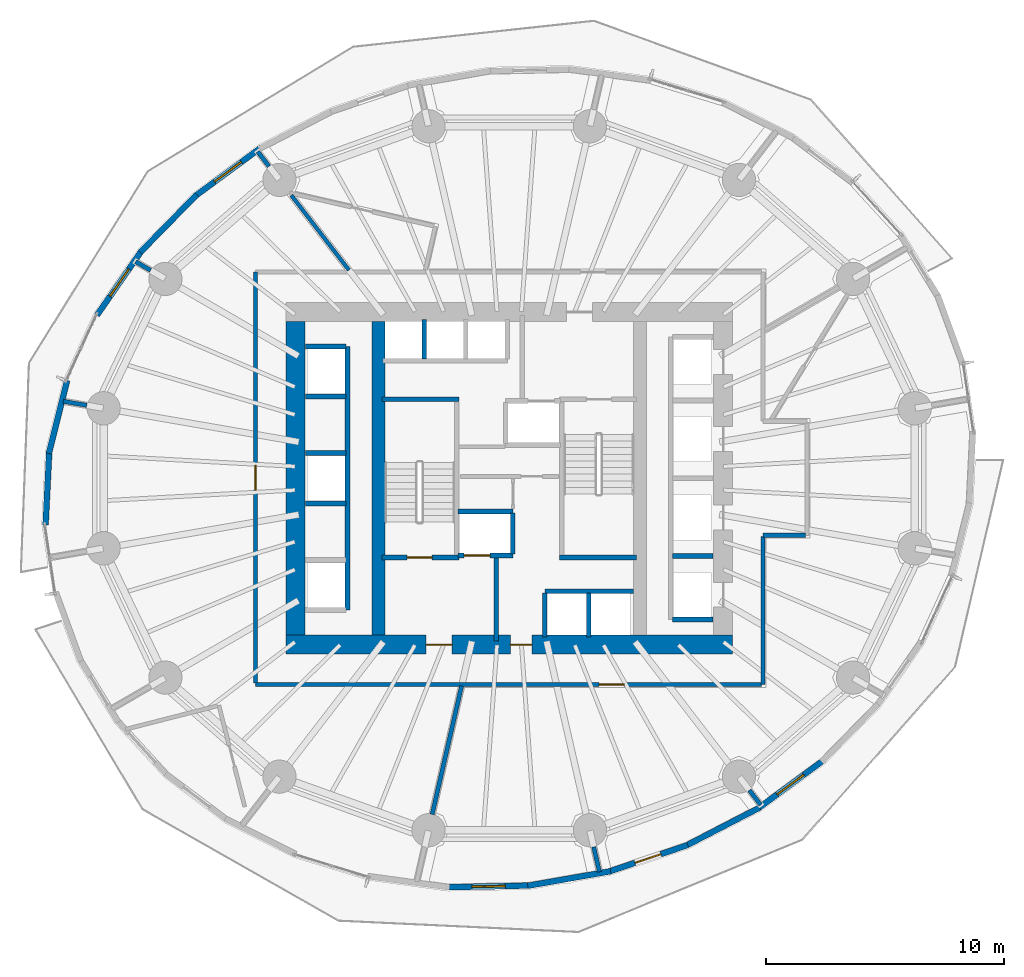
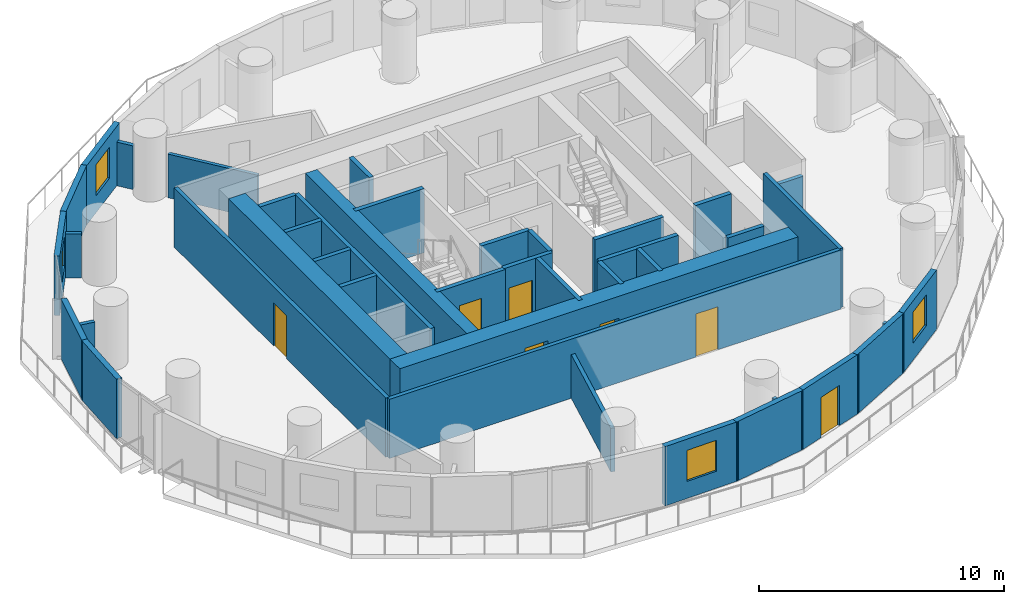
# One storey, part 7 of 13: 42 walls, 7 doors, 4 windows, 11 openings.
"""IFC4 building model written with IfcOpenShell, lengths in metres."""

from ifc_helpers import new_model, si_unit, direction, frame, frame_2d, origin, place, context, subcontext, project, spatial, rectangle, extrude, material, layer, layer_set, type_object, element, fill, save


model = new_model("IFC4")

# Units and contexts
model_context = context("Model", 3, precision=1e-05, world=origin(), true_north=direction((0.0, 1.0)))
body_context = subcontext(model_context, "Body", "Model", "MODEL_VIEW")
ifc_project = project(units=[si_unit("LENGTHUNIT", "METRE"), si_unit("AREAUNIT", "SQUARE_METRE"), si_unit("VOLUMEUNIT", "CUBIC_METRE"), si_unit("PLANEANGLEUNIT", "RADIAN"), si_unit("MASSUNIT", "GRAM", prefix="KILO")], contexts=[model_context])

# Site, building, storey
site_placement = place(None, origin())
site = spatial("IfcSite", under=ifc_project, at=site_placement, CompositionType="ELEMENT")
building_placement = place(site_placement, origin())
building = spatial("IfcBuilding", under=site, at=building_placement, Name="Veldorim Arch Residences", CompositionType="ELEMENT")
storey_placement = place(building_placement, frame((0.0, 0.0, 60.0)))
storey = spatial("IfcBuildingStorey", under=building, at=storey_placement, Name="L17", CompositionType="ELEMENT", Elevation=60.0)

# Walls
ifc_material_1 = material(Name="Lightweight Masonry Block & Gypsum", Category="masonry")
ifc_layer_1 = layer(ifc_material_1, 0.179931640625, Name="Compartment & Corridor Fire-Rated Party Wall 180")
ifc_layer_set_1 = layer_set([ifc_layer_1], Name="Lightweight Masonry Block & Gypsum")
wall_type_1 = type_object("IfcWallType", Name="Compartment & Corridor Fire-Rated Party Wall 180", PredefinedType="PARTITIONING", material=ifc_layer_set_1)
wall_1_placement = place(storey_placement, frame((21.893798828125, 37.125732421875, 0.0), z_axis=(0.0, 0.0, 1.0), x_axis=(-0.610148514831, 0.792287062781, 0.0)))
element("IfcWall", 1, at=wall_1_placement, inside=storey, type_object=wall_type_1, Name="L17 interior wall WL-PIER-L17-06", PredefinedType="PARTITIONING", context=body_context, shape_type="SweptSolid", body=[
    extrude(rectangle(XDim=0.781494140625, YDim=0.179931640625, at=frame_2d((0.390625, 0.0))), origin(), (0.0, 0.0, 1.0), 2.17822265625),
])
wall_2_placement = place(storey_placement, frame((16.909423828125, 32.750244140625, 0.0), z_axis=(0.0, 0.0, 1.0), x_axis=(-0.865051537272, 0.501683005356, 0.0)))
element("IfcWall", 2, at=wall_2_placement, inside=storey, type_object=wall_type_1, Name="L17 interior wall WL-PIER-L17-07", PredefinedType="PARTITIONING", context=body_context, shape_type="SweptSolid", body=[
    extrude(rectangle(XDim=0.72900390625, YDim=0.179931640625, at=frame_2d((0.364501953125, 0.0))), origin(), (0.0, 0.0, 1.0), 2.17822265625),
])
wall_3_placement = place(storey_placement, frame((14.224853515625, 27.068359375, 0.0), z_axis=(0.0, 0.0, 1.0), x_axis=(-0.985427922179, 0.170093533654, 0.0)))
element("IfcWall", 3, at=wall_3_placement, inside=storey, type_object=wall_type_1, Name="L17 interior wall WL-PIER-L17-08", PredefinedType="PARTITIONING", context=body_context, shape_type="SweptSolid", body=[
    extrude(rectangle(XDim=1.007568359375, YDim=0.179931640625, at=frame_2d((0.50390625, 0.0))), origin(), (0.0, 0.0, 1.0), 2.17822265625),
])
wall_4_placement = place(storey_placement, frame((35.555419921875, 8.48828125, 0.0), z_axis=(0.0, 0.0, 1.0), x_axis=(0.2234388258, -0.974717954654, 0.0)))
element("IfcWall", 4, at=wall_4_placement, inside=storey, type_object=wall_type_1, Name="L17 interior wall WL-PIER-L17-13", PredefinedType="PARTITIONING", context=body_context, shape_type="SweptSolid", body=[
    extrude(rectangle(XDim=1.07958984375, YDim=0.179931640625, at=frame_2d((0.539794921875, 0.0))), origin(), (0.0, 0.0, 1.0), 2.17822265625),
])
wall_5_placement = place(storey_placement, frame((42.106201171875, 10.874267578125, 0.0), z_axis=(0.0, 0.0, 1.0), x_axis=(0.610148514831, -0.792287062781, 0.0)))
element("IfcWall", 5, at=wall_5_placement, inside=storey, type_object=wall_type_1, Name="L17 interior wall WL-PIER-L17-14", PredefinedType="PARTITIONING", context=body_context, shape_type="SweptSolid", body=[
    extrude(rectangle(XDim=0.781494140625, YDim=0.179931640625, at=frame_2d((0.390625, 0.0))), origin(), (0.0, 0.0, 1.0), 2.17822265625),
])
wall_6_placement = place(storey_placement, frame((44.469970703125, 21.60009765625, 0.0), z_axis=(0.0, 0.0, 1.0), x_axis=(-1.0, 0.0, 0.0)))
element("IfcWall", 6, at=wall_6_placement, inside=storey, type_object=wall_type_1, Name="L17 interior wall WL-RES-L17-003", PredefinedType="PARTITIONING", context=body_context, shape_type="SweptSolid", body=[
    extrude(rectangle(XDim=1.7900390625, YDim=0.179931640625, at=frame_2d((0.89501953125, 0.0))), origin(), (0.0, 0.0, 1.0), 2.17822265625),
])
wall_7_placement = place(storey_placement, frame((42.679931640625, 21.5400390625, 0.0), z_axis=(0.0, 0.0, 1.0), x_axis=(0.0, -1.0, 0.0)))
element("IfcWall", 7, at=wall_7_placement, inside=storey, type_object=wall_type_1, Name="L17 interior wall WL-RES-L17-004", PredefinedType="PARTITIONING", context=body_context, shape_type="SweptSolid", body=[
    extrude(rectangle(XDim=6.219970703125, YDim=0.179931640625, at=frame_2d((3.10986328125, 0.0))), origin(), (0.0, 0.0, 1.0), 2.955078125),
])

# Wall, opening, door
wall_8_placement = place(storey_placement, frame((42.6201171875, 15.320068359375, 0.0), z_axis=(0.0, 0.0, 1.0), x_axis=(-1.0, 0.0, 0.0)))
wall_8 = element("IfcWall", 8, at=wall_8_placement, inside=storey, type_object=wall_type_1, Name="L17 interior wall WL-RES-L17-005", PredefinedType="PARTITIONING", context=body_context, shape_type="SweptSolid", body=[
    extrude(rectangle(XDim=21.300048828125, YDim=0.179931640625, at=frame_2d((10.64990234375, 0.0))), origin(), (0.0, 0.0, 1.0), 2.955078125),
])
opening_1_placement = place(wall_8_placement, frame((5.7900390625, 0.0, 0.0)))
opening_1 = element("IfcOpeningElement", 9, at=opening_1_placement, cuts=wall_8, Name="Opening DR-FLT", PredefinedType="OPENING", context=body_context, shape_type="SweptSolid", body=[
    extrude(rectangle(XDim=1.050048828125, YDim=2.14990234375, at=frame_2d((0.52490234375, 1.074951171875))), frame((0.0, 0.099853515625, 0.0), z_axis=(0.0, -1.0, 0.0), x_axis=(1.0, 0.0, 0.0)), (0.0, 0.0, 1.0), 0.199951171875),
])
ifc_material_2 = material(Name="Fire-Rated Timber", Category="wood")
door_type_1 = type_object("IfcDoorType", Name="Apartment Entrance Solid-Core Fire Door 1050x2150", OperationType="SINGLE_SWING_LEFT", PredefinedType="DOOR", material=ifc_material_2)
door_1_placement = place(opening_1_placement, origin())
door_1 = element("IfcDoor", 10, at=door_1_placement, inside=storey, type_object=door_type_1, Name="L17 interior door DR-RES-L17-001", OperationType="SINGLE_SWING_LEFT", OverallHeight=2.14990234375, OverallWidth=1.050048828125, PredefinedType="DOOR", context=body_context, shape_type="SweptSolid", body=[
    extrude(rectangle(XDim=1.050048828125, YDim=2.14990234375, at=frame_2d((0.52490234375, 1.074951171875))), frame((0.0, 0.02490234375, 0.0), z_axis=(0.0, -1.0, 0.0), x_axis=(1.0, 0.0, 0.0)), (0.0, 0.0, 1.0), 0.050048828125),
])
fill(opening_1, door_1)

wall_9_placement = place(storey_placement, frame((21.320068359375, 15.3798828125, 0.0), z_axis=(0.0, 0.0, 1.0), x_axis=(0.0, 1.0, 0.0)))
wall_9 = element("IfcWall", 11, at=wall_9_placement, inside=storey, type_object=wall_type_1, Name="L17 interior wall WL-RES-L17-008", PredefinedType="PARTITIONING", context=body_context, shape_type="SweptSolid", body=[
    extrude(rectangle(XDim=17.300048828125, YDim=0.179931640625, at=frame_2d((8.64990234375, 0.0))), origin(), (0.0, 0.0, 1.0), 2.955078125),
])
opening_2_placement = place(wall_9_placement, frame((8.125, 0.0, 0.0)))
opening_2 = element("IfcOpeningElement", 12, at=opening_2_placement, cuts=wall_9, Name="Opening DR-FLT", PredefinedType="OPENING", context=body_context, shape_type="SweptSolid", body=[
    extrude(rectangle(XDim=1.050048828125, YDim=2.14990234375, at=frame_2d((0.52490234375, 1.074951171875))), frame((0.0, 0.099853515625, 0.0), z_axis=(0.0, -1.0, 0.0), x_axis=(1.0, 0.0, 0.0)), (0.0, 0.0, 1.0), 0.199951171875),
])
door_2_placement = place(opening_2_placement, origin())
door_2 = element("IfcDoor", 13, at=door_2_placement, inside=storey, type_object=door_type_1, Name="L17 interior door DR-RES-L17-005", OperationType="SINGLE_SWING_LEFT", OverallHeight=2.14990234375, OverallWidth=1.050048828125, PredefinedType="DOOR", context=body_context, shape_type="SweptSolid", body=[
    extrude(rectangle(XDim=1.050048828125, YDim=2.14990234375, at=frame_2d((0.52490234375, 1.074951171875))), frame((0.0, 0.02490234375, 0.0), z_axis=(0.0, -1.0, 0.0), x_axis=(1.0, 0.0, 0.0)), (0.0, 0.0, 1.0), 0.050048828125),
])
fill(opening_2, door_2)

# Walls
wall_10_placement = place(storey_placement, frame((28.75830078125, 9.856689453125, 0.0), z_axis=(0.0, 0.0, 1.0), x_axis=(0.22340578764, 0.974725527546, 0.0)))
element("IfcWall", 14, at=wall_10_placement, inside=storey, type_object=wall_type_1, Name="L17 interior wall WL-RES-L17-010", PredefinedType="PARTITIONING", context=body_context, shape_type="SweptSolid", body=[
    extrude(rectangle(XDim=5.544921875, YDim=0.179931640625, at=frame_2d((2.7724609375, 0.0))), origin(), (0.0, 0.0, 1.0), 2.17822265625),
])
ifc_material_3 = material(Name="Concrete C50/60", Category="concrete")
ifc_layer_2 = layer(ifc_material_3, 0.199951171875, Name="Core Stair & Lift Shaft Enclosure Wall 200")
ifc_layer_set_2 = layer_set([ifc_layer_2], Name="Concrete C50/60")
wall_type_2 = type_object("IfcWallType", Name="Core Stair & Lift Shaft Enclosure Wall 200", PredefinedType="SHEAR", material=ifc_layer_set_2)
wall_11_placement = place(storey_placement, frame((26.64990234375, 27.330078125, 0.0), z_axis=(0.0, 0.0, 1.0), x_axis=(1.0, 0.0, 0.0)))
element("IfcWall", 15, at=wall_11_placement, inside=storey, type_object=wall_type_2, Name="L17 shaft wall WL-SHF-L17-ST1-N", PredefinedType="SHEAR", context=body_context, shape_type="SweptSolid", body=[
    extrude(rectangle(XDim=3.239990234375, YDim=0.199951171875, at=frame_2d((1.6201171875, 0.0))), origin(), (0.0, 0.0, 1.0), 3.199951171875),
])

# Wall, opening, door
wall_12_placement = place(storey_placement, frame((26.64990234375, 20.669921875, 0.0), z_axis=(0.0, 0.0, 1.0), x_axis=(1.0, 0.0, 0.0)))
wall_12 = element("IfcWall", 16, at=wall_12_placement, inside=storey, type_object=wall_type_2, Name="L17 shaft wall WL-SHF-L17-ST1-S", PredefinedType="SHEAR", context=body_context, shape_type="SweptSolid", body=[
    extrude(rectangle(XDim=3.239990234375, YDim=0.199951171875, at=frame_2d((1.6201171875, 0.0))), origin(), (0.0, 0.0, 1.0), 3.199951171875),
])
opening_3_placement = place(wall_12_placement, frame((1.054931640625, 0.0, 0.0)))
opening_3 = element("IfcOpeningElement", 17, at=opening_3_placement, cuts=wall_12, Name="Opening DR-ST", PredefinedType="OPENING", context=body_context, shape_type="SweptSolid", body=[
    extrude(rectangle(XDim=1.050048828125, YDim=2.14990234375, at=frame_2d((0.52490234375, 1.074951171875))), frame((0.0, 0.10986328125, 0.0), z_axis=(0.0, -1.0, 0.0), x_axis=(1.0, 0.0, 0.0)), (0.0, 0.0, 1.0), 0.219970703125),
])
ifc_material_4 = material(Name="Fire-Rated Steel", Category="steel")
door_type_2 = type_object("IfcDoorType", Name="Exit Staircase Self-Closing Fire Door 1050x2150", OperationType="SINGLE_SWING_LEFT", PredefinedType="DOOR", material=ifc_material_4)
door_3_placement = place(opening_3_placement, origin())
door_3 = element("IfcDoor", 18, at=door_3_placement, inside=storey, type_object=door_type_2, Name="L17 interior door DR-L17-ST1", OperationType="SINGLE_SWING_LEFT", OverallHeight=2.14990234375, OverallWidth=1.050048828125, PredefinedType="DOOR", context=body_context, shape_type="SweptSolid", body=[
    extrude(rectangle(XDim=1.050048828125, YDim=2.14990234375, at=frame_2d((0.52490234375, 1.074951171875))), frame((0.0, 0.02490234375, 0.0), z_axis=(0.0, -1.0, 0.0), x_axis=(1.0, 0.0, 0.0)), (0.0, 0.0, 1.0), 0.050048828125),
])
fill(opening_3, door_3)

# Walls
wall_13_placement = place(storey_placement, frame((34.110107421875, 20.669921875, 0.0), z_axis=(0.0, 0.0, 1.0), x_axis=(1.0, 0.0, 0.0)))
element("IfcWall", 19, at=wall_13_placement, inside=storey, type_object=wall_type_2, Name="L17 shaft wall WL-SHF-L17-ST2-S", PredefinedType="SHEAR", context=body_context, shape_type="SweptSolid", body=[
    extrude(rectangle(XDim=3.239990234375, YDim=0.199951171875, at=frame_2d((1.6201171875, 0.0))), origin(), (0.0, 0.0, 1.0), 3.199951171875),
])
wall_14_placement = place(storey_placement, frame((31.449951171875, 17.14990234375, 0.0), z_axis=(0.0, 0.0, 1.0), x_axis=(0.0, 1.0, 0.0)))
element("IfcWall", 20, at=wall_14_placement, inside=storey, type_object=wall_type_2, Name="L17 shaft wall WL-FFL1-L17-E", PredefinedType="SHEAR", context=body_context, shape_type="SweptSolid", body=[
    extrude(rectangle(XDim=3.5, YDim=0.199951171875, at=frame_2d((1.75, 0.0))), origin(), (0.0, 0.0, 1.0), 3.199951171875),
])

# Wall, opening, door
wall_15_placement = place(storey_placement, frame((29.85009765625, 20.75, 0.0), z_axis=(0.0, 0.0, 1.0), x_axis=(1.0, 0.0, 0.0)))
wall_15 = element("IfcWall", 21, at=wall_15_placement, inside=storey, type_object=wall_type_2, Name="L17 shaft wall WL-FL01-L17-S", PredefinedType="SHEAR", context=body_context, shape_type="SweptSolid", body=[
    extrude(rectangle(XDim=2.2998046875, YDim=0.199951171875, at=frame_2d((1.14990234375, 0.0))), origin(), (0.0, 0.0, 1.0), 3.199951171875),
])
opening_4_placement = place(wall_15_placement, frame((0.25, 0.0, 0.0)))
opening_4 = element("IfcOpeningElement", 22, at=opening_4_placement, cuts=wall_15, Name="Opening LD-FF", PredefinedType="OPENING", context=body_context, shape_type="SweptSolid", body=[
    extrude(rectangle(XDim=1.10009765625, YDim=2.14990234375, at=frame_2d((0.550048828125, 1.074951171875))), frame((0.0, 0.10986328125, 0.0), z_axis=(0.0, -1.0, 0.0), x_axis=(1.0, 0.0, 0.0)), (0.0, 0.0, 1.0), 0.219970703125),
])
ifc_material_5 = material(Name="Stainless Steel", Category="steel")
door_type_3 = type_object("IfcDoorType", Name="Firefighting Lift Bi-Parting Sliding Landing Door 1100x2150", OperationType="DOUBLE_DOOR_SLIDING", PredefinedType="DOOR", material=ifc_material_5)
door_4_placement = place(opening_4_placement, origin())
door_4 = element("IfcDoor", 23, at=door_4_placement, inside=storey, type_object=door_type_3, Name="L17 lift landing door LD-L17-FL01", OperationType="DOUBLE_DOOR_SLIDING", OverallHeight=2.14990234375, OverallWidth=1.10009765625, PredefinedType="DOOR", context=body_context, shape_type="SweptSolid", body=[
    extrude(rectangle(XDim=1.10009765625, YDim=2.14990234375, at=frame_2d((0.550048828125, 1.074951171875))), frame((0.0, 0.02490234375, 0.0), z_axis=(0.0, -1.0, 0.0), x_axis=(1.0, 0.0, 0.0)), (0.0, 0.0, 1.0), 0.050048828125),
])
fill(opening_4, door_4)

# Walls
wall_16_placement = place(storey_placement, frame((29.85009765625, 22.60009765625, 0.0), z_axis=(0.0, 0.0, 1.0), x_axis=(1.0, 0.0, 0.0)))
element("IfcWall", 24, at=wall_16_placement, inside=storey, type_object=wall_type_2, Name="L17 shaft wall WL-FL01-L17-N", PredefinedType="SHEAR", context=body_context, shape_type="SweptSolid", body=[
    extrude(rectangle(XDim=2.2998046875, YDim=0.199951171875, at=frame_2d((1.14990234375, 0.0))), origin(), (0.0, 0.0, 1.0), 3.199951171875),
])
for number, where, z_axis, x_axis, name in (
    (25, (32.14990234375, 20.820068359375, 0.0), (0.0, 0.0, 1.0), (0.0, 1.0, 0.0), "L17 shaft wall WL-FL01-L17-E"),
    (26, (38.8701171875, 18.06005859375, 0.0), (0.0, 0.0, 1.0), (1.0, 0.0, 0.0), "L17 shaft wall WL-B1-L17-S"),
    (27, (38.8701171875, 20.72509765625, 0.0), (0.0, 0.0, 1.0), (1.0, 0.0, 0.0), "L17 shaft wall WL-B1-L17-D1"),
):
    element("IfcWall", number, at=place(storey_placement, frame(where, z_axis=z_axis, x_axis=x_axis)), inside=storey, type_object=wall_type_2, Name=name, PredefinedType="SHEAR", context=body_context, shape_type="SweptSolid", body=[
        extrude(rectangle(XDim=1.7099609375, YDim=0.199951171875, at=frame_2d((0.85498046875, 0.0))), origin(), (0.0, 0.0, 1.0), 3.199951171875),
    ])
wall_17_placement = place(storey_placement, frame((25.199951171875, 18.4599609375, 0.0), z_axis=(0.0, 0.0, 1.0), x_axis=(0.0, 1.0, 0.0)))
element("IfcWall", 28, at=wall_17_placement, inside=storey, type_object=wall_type_2, Name="L17 shaft wall WL-B2-L17-E", PredefinedType="SHEAR", context=body_context, shape_type="SweptSolid", body=[
    extrude(rectangle(XDim=11.080078125, YDim=0.199951171875, at=frame_2d((5.5400390625, 0.0))), origin(), (0.0, 0.0, 1.0), 3.199951171875),
])
for number, where, z_axis, x_axis, name in (
    (29, (23.419921875, 29.5400390625, 0.0), (0.0, 0.0, 1.0), (1.0, 0.0, 0.0), "L17 shaft wall WL-B2-L17-N"),
    (30, (23.419921875, 22.93994140625, 0.0), (0.0, 0.0, 1.0), (1.0, 0.0, 0.0), "L17 shaft wall WL-B2-L17-D1B"),
    (31, (23.419921875, 25.06005859375, 0.0), (0.0, 0.0, 1.0), (1.0, 0.0, 0.0), "L17 shaft wall WL-B2-L17-D2A"),
    (32, (23.419921875, 27.43994140625, 0.0), (0.0, 0.0, 1.0), (1.0, 0.0, 0.0), "L17 shaft wall WL-B2-L17-D2B"),
):
    element("IfcWall", number, at=place(storey_placement, frame(where, z_axis=z_axis, x_axis=x_axis)), inside=storey, type_object=wall_type_2, Name=name, PredefinedType="SHEAR", context=body_context, shape_type="SweptSolid", body=[
        extrude(rectangle(XDim=1.7099609375, YDim=0.199951171875, at=frame_2d((0.85498046875, 0.0))), origin(), (0.0, 0.0, 1.0), 3.199951171875),
    ])
wall_18_placement = place(storey_placement, frame((28.425048828125, 29.02001953125, 0.0), z_axis=(0.0, 0.0, 1.0), x_axis=(0.0, 1.0, 0.0)))
element("IfcWall", 33, at=wall_18_placement, inside=storey, type_object=wall_type_2, Name="L17 shaft wall WL-B3-L17-D1", PredefinedType="SHEAR", context=body_context, shape_type="SweptSolid", body=[
    extrude(rectangle(XDim=1.659912109375, YDim=0.199951171875, at=frame_2d((0.830078125, 0.0))), origin(), (0.0, 0.0, 1.0), 3.199951171875),
])
wall_19_placement = place(storey_placement, frame((33.5, 19.25, 0.0), z_axis=(0.0, 0.0, 1.0), x_axis=(1.0, 0.0, 0.0)))
element("IfcWall", 34, at=wall_19_placement, inside=storey, type_object=wall_type_2, Name="L17 shaft wall WL-OL-L17-N", PredefinedType="SHEAR", context=body_context, shape_type="SweptSolid", body=[
    extrude(rectangle(XDim=3.719970703125, YDim=0.199951171875, at=frame_2d((1.85986328125, 0.0))), origin(), (0.0, 0.0, 1.0), 3.199951171875),
])
for number, where, z_axis, x_axis, name in (
    (35, (33.5, 17.320068359375, 0.0), (0.0, 0.0, 1.0), (0.0, 1.0, 0.0), "L17 shaft wall WL-OL-L17-W"),
    (36, (35.35009765625, 17.320068359375, 0.0), (0.0, 0.0, 1.0), (0.0, 1.0, 0.0), "L17 shaft wall WL-OL-L17-D1"),
):
    element("IfcWall", number, at=place(storey_placement, frame(where, z_axis=z_axis, x_axis=x_axis)), inside=storey, type_object=wall_type_2, Name=name, PredefinedType="SHEAR", context=body_context, shape_type="SweptSolid", body=[
        extrude(rectangle(XDim=1.85986328125, YDim=0.199951171875, at=frame_2d((0.929931640625, 0.0))), origin(), (0.0, 0.0, 1.0), 3.199951171875),
    ])
ifc_material_6 = material(Name="Concrete C60/75", Category="concrete")
ifc_layer_3 = layer(ifc_material_6, 0.56005859375, Name="Internal Core Shear Web Wall 560")
ifc_layer_set_3 = layer_set([ifc_layer_3], Name="Concrete C60/75")
wall_type_3 = type_object("IfcWallType", Name="Internal Core Shear Web Wall 560", PredefinedType="SHEAR", material=ifc_layer_set_3)
wall_20_placement = place(storey_placement, frame((26.5, 17.39990234375, 0.0), z_axis=(0.0, 0.0, 1.0), x_axis=(0.0, 1.0, 0.0)))
element("IfcWall", 37, at=wall_20_placement, inside=storey, type_object=wall_type_3, Name="L17 core west internal shear web", PredefinedType="SHEAR", context=body_context, shape_type="SweptSolid", body=[
    extrude(rectangle(XDim=13.2001953125, YDim=0.56005859375, at=frame_2d((6.60009765625, 0.0))), origin(), (0.0, 0.0, 1.0), 3.199951171875),
])

# Wall, openings, doors
ifc_material_7 = material(Name="Concrete C60/75", Category="concrete")
ifc_layer_4 = layer(ifc_material_7, 0.800048828125, Name="Lower Central Core Shear Wall 800")
ifc_layer_set_4 = layer_set([ifc_layer_4], Name="Concrete C60/75")
wall_type_4 = type_object("IfcWallType", Name="Lower Central Core Shear Wall 800", PredefinedType="SHEAR", material=ifc_layer_set_4)
wall_21_placement = place(storey_placement, frame((22.60009765625, 17.0, 0.0), z_axis=(0.0, 0.0, 1.0), x_axis=(1.0, 0.0, 0.0)))
wall_21 = element("IfcWall", 38, at=wall_21_placement, inside=storey, type_object=wall_type_4, Name="L17 central core south shear wall", PredefinedType="SHEAR", context=body_context, shape_type="SweptSolid", body=[
    extrude(rectangle(XDim=18.7998046875, YDim=0.800048828125, at=frame_2d((9.39990234375, 0.0))), origin(), (0.0, 0.0, 1.0), 3.199951171875),
])
opening_5_placement = place(wall_21_placement, frame((5.89990234375, 0.0, 0.0)))
opening_5 = element("IfcOpeningElement", 39, at=opening_5_placement, cuts=wall_21, Name="Opening DR-FFL", PredefinedType="OPENING", context=body_context, shape_type="SweptSolid", body=[
    extrude(rectangle(XDim=1.10009765625, YDim=2.14990234375, at=frame_2d((0.550048828125, 1.074951171875))), frame((0.0, 0.409912109375, 0.0), z_axis=(0.0, -1.0, 0.0), x_axis=(1.0, 0.0, 0.0)), (0.0, 0.0, 1.0), 0.820068359375),
])
opening_6_placement = place(wall_21_placement, frame((9.449951171875, 0.0, 0.0)))
opening_6 = element("IfcOpeningElement", 40, at=opening_6_placement, cuts=wall_21, Name="Opening DR-SVC", PredefinedType="OPENING", context=body_context, shape_type="SweptSolid", body=[
    extrude(rectangle(XDim=0.89990234375, YDim=2.10009765625, at=frame_2d((0.449951171875, 1.050048828125))), frame((0.0, 0.409912109375, 0.0), z_axis=(0.0, -1.0, 0.0), x_axis=(1.0, 0.0, 0.0)), (0.0, 0.0, 1.0), 0.820068359375),
])
ifc_material_8 = material(Name="Fire-Rated Steel & Vision Glass", Category="steel")
door_type_4 = type_object("IfcDoorType", Name="Firefighting Lobby Smoke-Stop Fire Door 1100x2150", OperationType="SINGLE_SWING_LEFT", PredefinedType="DOOR", material=ifc_material_8)
door_5_placement = place(opening_5_placement, origin())
door_5 = element("IfcDoor", 41, at=door_5_placement, inside=storey, type_object=door_type_4, Name="L17 interior door DR-L17-FFL1", OperationType="SINGLE_SWING_RIGHT", OverallHeight=2.14990234375, OverallWidth=1.10009765625, PredefinedType="DOOR", context=body_context, shape_type="SweptSolid", body=[
    extrude(rectangle(XDim=1.10009765625, YDim=2.14990234375, at=frame_2d((0.550048828125, 1.074951171875))), frame((0.0, 0.02490234375, 0.0), z_axis=(0.0, -1.0, 0.0), x_axis=(1.0, 0.0, 0.0)), (0.0, 0.0, 1.0), 0.050048828125),
])
fill(opening_5, door_5)
ifc_material_9 = material(Name="Fire-Rated Steel", Category="steel")
door_type_5 = type_object("IfcDoorType", Name="Riser, Shelter & Plant Room Rated Steel Door 900x2100", OperationType="SINGLE_SWING_LEFT", PredefinedType="DOOR", material=ifc_material_9)
door_6_placement = place(opening_6_placement, origin())
door_6 = element("IfcDoor", 42, at=door_6_placement, inside=storey, type_object=door_type_5, Name="L17 interior door DR-L17-COR-ANC", OperationType="SINGLE_SWING_LEFT", OverallHeight=2.10009765625, OverallWidth=0.89990234375, PredefinedType="DOOR", context=body_context, shape_type="SweptSolid", body=[
    extrude(rectangle(XDim=0.89990234375, YDim=2.10009765625, at=frame_2d((0.449951171875, 1.050048828125))), frame((0.0, 0.02490234375, 0.0), z_axis=(0.0, -1.0, 0.0), x_axis=(1.0, 0.0, 0.0)), (0.0, 0.0, 1.0), 0.050048828125),
])
fill(opening_6, door_6)

# Wall
wall_22_placement = place(storey_placement, frame((23.0, 17.39990234375, 0.0), z_axis=(0.0, 0.0, 1.0), x_axis=(0.0, 1.0, 0.0)))
element("IfcWall", 43, at=wall_22_placement, inside=storey, type_object=wall_type_4, Name="L17 central core west shear wall", PredefinedType="SHEAR", context=body_context, shape_type="SweptSolid", body=[
    extrude(rectangle(XDim=13.2001953125, YDim=0.800048828125, at=frame_2d((6.60009765625, 0.0))), origin(), (0.0, 0.0, 1.0), 3.199951171875),
])

# Wall, opening, window
ifc_material_10 = material(Name="Precast concrete C40/50", Category="concrete")
ifc_layer_5 = layer(ifc_material_10, 0.25, Name="Tower Terracotta Spandrel & Pier Wall 250")
ifc_layer_set_5 = layer_set([ifc_layer_5], Name="Precast concrete C40/50")
wall_type_5 = type_object("IfcWallType", Name="Tower Terracotta Spandrel & Pier Wall 250", PredefinedType="SOLIDWALL", material=ifc_layer_set_5)
wall_23_placement = place(storey_placement, frame((18.76953125, 35.865966796875, 0.0), z_axis=(0.0, 0.0, 1.0), x_axis=(0.805570891973, 0.592499399161, 0.0)))
wall_23 = element("IfcWall", 44, at=wall_23_placement, inside=storey, type_object=wall_type_5, Name="L17 terracotta facade wall 12", PredefinedType="SOLIDWALL", context=body_context, shape_type="SweptSolid", body=[
    extrude(rectangle(XDim=3.46484375, YDim=0.25, at=frame_2d((1.732421875, 0.0))), origin(), (0.0, 0.0, 1.0), 2.9599609375),
])
opening_7_placement = place(wall_23_placement, frame((1.031982421875, 0.0, 0.85009765625)))
opening_7 = element("IfcOpeningElement", 45, at=opening_7_placement, cuts=wall_23, Name="Opening WN-02", PredefinedType="OPENING", context=body_context, shape_type="SweptSolid", body=[
    extrude(rectangle(XDim=1.39990234375, YDim=1.550048828125, at=frame_2d((0.699951171875, 0.77490234375))), frame((0.0, 0.135009765625, 0.0), z_axis=(0.0, -1.0, 0.0), x_axis=(1.0, 0.0, 0.0)), (0.0, 0.0, 1.0), 0.27001953125),
])
ifc_material_11 = material(Name="Laminated Low-E Glass", Category="glass")
window_type = type_object("IfcWindowType", Name="Residential Casement Window 1400x1550", PartitioningType="SINGLE_PANEL", PredefinedType="WINDOW", material=ifc_material_11)
window_1_placement = place(opening_7_placement, origin())
window_1 = element("IfcWindow", 46, at=window_1_placement, inside=storey, type_object=window_type, Name="L17 solar-control facade window 12", OverallHeight=1.550048828125, OverallWidth=1.39990234375, PartitioningType="SINGLE_PANEL", PredefinedType="WINDOW", context=body_context, shape_type="SweptSolid", body=[
    extrude(rectangle(XDim=1.39990234375, YDim=1.550048828125, at=frame_2d((0.699951171875, 0.77490234375))), frame((0.0, 0.030029296875, 0.0), z_axis=(0.0, -1.0, 0.0), x_axis=(1.0, 0.0, 0.0)), (0.0, 0.0, 1.0), 0.06005859375),
])
fill(opening_7, window_1)

# Wall
wall_24_placement = place(storey_placement, frame((16.473876953125, 33.510009765625, 0.0), z_axis=(0.0, 0.0, 1.0), x_axis=(0.699814992025, 0.714324139966, 0.0)))
element("IfcWall", 47, at=wall_24_placement, inside=storey, type_object=wall_type_5, Name="L17 terracotta facade wall 13", PredefinedType="SOLIDWALL", context=body_context, shape_type="SweptSolid", body=[
    extrude(rectangle(XDim=3.39892578125, YDim=0.25, at=frame_2d((1.699462890625, 0.0))), origin(), (0.0, 0.0, 1.0), 2.9599609375),
])

# Wall, opening, window
wall_25_placement = place(storey_placement, frame((14.65087890625, 30.864990234375, 0.0), z_axis=(0.0, 0.0, 1.0), x_axis=(0.569901359672, 0.821713113102, 0.0)))
wall_25 = element("IfcWall", 48, at=wall_25_placement, inside=storey, type_object=wall_type_5, Name="L17 terracotta facade wall 14", PredefinedType="SOLIDWALL", context=body_context, shape_type="SweptSolid", body=[
    extrude(rectangle(XDim=3.322509765625, YDim=0.25, at=frame_2d((1.6611328125, 0.0))), origin(), (0.0, 0.0, 1.0), 2.9599609375),
])
opening_8_placement = place(wall_25_placement, frame((0.9609375, 0.0, 0.85009765625)))
opening_8 = element("IfcOpeningElement", 49, at=opening_8_placement, cuts=wall_25, Name="Opening WN-02", PredefinedType="OPENING", context=body_context, shape_type="SweptSolid", body=[
    extrude(rectangle(XDim=1.39990234375, YDim=1.550048828125, at=frame_2d((0.699951171875, 0.77490234375))), frame((0.0, 0.135009765625, 0.0), z_axis=(0.0, -1.0, 0.0), x_axis=(1.0, 0.0, 0.0)), (0.0, 0.0, 1.0), 0.27001953125),
])
window_2_placement = place(opening_8_placement, origin())
window_2 = element("IfcWindow", 50, at=window_2_placement, inside=storey, type_object=window_type, Name="L17 solar-control facade window 14", OverallHeight=1.550048828125, OverallWidth=1.39990234375, PartitioningType="SINGLE_PANEL", PredefinedType="WINDOW", context=body_context, shape_type="SweptSolid", body=[
    extrude(rectangle(XDim=1.39990234375, YDim=1.550048828125, at=frame_2d((0.699951171875, 0.77490234375))), frame((0.0, 0.030029296875, 0.0), z_axis=(0.0, -1.0, 0.0), x_axis=(1.0, 0.0, 0.0)), (0.0, 0.0, 1.0), 0.06005859375),
])
fill(opening_8, window_2)

# Walls
wall_26_placement = place(storey_placement, frame((12.62841796875, 25.037841796875, 0.0), z_axis=(0.0, 0.0, 1.0), x_axis=(0.240996878469, 0.970525890725, 0.0)))
element("IfcWall", 51, at=wall_26_placement, inside=storey, type_object=wall_type_5, Name="L17 terracotta facade wall 16", PredefinedType="SOLIDWALL", context=body_context, shape_type="SweptSolid", body=[
    extrude(rectangle(XDim=3.173828125, YDim=0.25, at=frame_2d((1.5869140625, 0.0))), origin(), (0.0, 0.0, 1.0), 2.9599609375),
])
wall_27_placement = place(storey_placement, frame((12.4892578125, 22.03369140625, 0.0), z_axis=(0.0, 0.0, 1.0), x_axis=(0.049914204831, 0.998753509208, 0.0)))
element("IfcWall", 52, at=wall_27_placement, inside=storey, type_object=wall_type_5, Name="L17 terracotta facade wall 17", PredefinedType="SOLIDWALL", context=body_context, shape_type="SweptSolid", body=[
    extrude(rectangle(XDim=3.12060546875, YDim=0.25, at=frame_2d((1.560302734375, 0.0))), origin(), (0.0, 0.0, 1.0), 2.9599609375),
])

# Wall, opening, window
wall_28_placement = place(storey_placement, frame((32.888427734375, 6.862548828125, 0.0), z_axis=(0.0, 0.0, 1.0), x_axis=(-0.999788360949, -0.020572635025, 0.0)))
wall_28 = element("IfcWall", 53, at=wall_28_placement, inside=storey, type_object=wall_type_5, Name="L17 terracotta facade wall 26", PredefinedType="SOLIDWALL", context=body_context, shape_type="SweptSolid", body=[
    extrude(rectangle(XDim=3.5126953125, YDim=0.25, at=frame_2d((1.75634765625, 0.0))), origin(), (0.0, 0.0, 1.0), 2.9599609375),
])
opening_9_placement = place(wall_28_placement, frame((1.055908203125, 0.0, 0.85009765625)))
opening_9 = element("IfcOpeningElement", 54, at=opening_9_placement, cuts=wall_28, Name="Opening WN-02", PredefinedType="OPENING", context=body_context, shape_type="SweptSolid", body=[
    extrude(rectangle(XDim=1.39990234375, YDim=1.550048828125, at=frame_2d((0.699951171875, 0.77490234375))), frame((0.0, 0.135009765625, 0.0), z_axis=(0.0, -1.0, 0.0), x_axis=(1.0, 0.0, 0.0)), (0.0, 0.0, 1.0), 0.27001953125),
])
window_3_placement = place(opening_9_placement, origin())
window_3 = element("IfcWindow", 55, at=window_3_placement, inside=storey, type_object=window_type, Name="L17 solar-control facade window 26", OverallHeight=1.550048828125, OverallWidth=1.39990234375, PartitioningType="SINGLE_PANEL", PredefinedType="WINDOW", context=body_context, shape_type="SweptSolid", body=[
    extrude(rectangle(XDim=1.39990234375, YDim=1.550048828125, at=frame_2d((0.699951171875, 0.77490234375))), frame((0.0, 0.030029296875, 0.0), z_axis=(0.0, -1.0, 0.0), x_axis=(1.0, 0.0, 0.0)), (0.0, 0.0, 1.0), 0.06005859375),
])
fill(opening_9, window_3)

# Wall
wall_29_placement = place(storey_placement, frame((36.265380859375, 7.46240234375, 0.0), z_axis=(0.0, 0.0, 1.0), x_axis=(-0.98500849055, -0.172505865245, 0.0)))
element("IfcWall", 56, at=wall_29_placement, inside=storey, type_object=wall_type_5, Name="L17 terracotta facade wall 27", PredefinedType="SOLIDWALL", context=body_context, shape_type="SweptSolid", body=[
    extrude(rectangle(XDim=3.5380859375, YDim=0.25, at=frame_2d((1.76904296875, 0.0))), origin(), (0.0, 0.0, 1.0), 2.9599609375),
])

# Wall, opening, door
wall_30_placement = place(storey_placement, frame((39.5126953125, 8.565673828125, 0.0), z_axis=(0.0, 0.0, 1.0), x_axis=(-0.947615298774, -0.319413909417, 0.0)))
wall_30 = element("IfcWall", 57, at=wall_30_placement, inside=storey, type_object=wall_type_5, Name="L17 terracotta facade wall 28", PredefinedType="SOLIDWALL", context=body_context, shape_type="SweptSolid", body=[
    extrude(rectangle(XDim=3.5380859375, YDim=0.25, at=frame_2d((1.76904296875, 0.0))), origin(), (0.0, 0.0, 1.0), 2.9599609375),
])
opening_10_placement = place(wall_30_placement, frame((1.194091796875, 0.0, 0.0)))
opening_10 = element("IfcOpeningElement", 58, at=opening_10_placement, cuts=wall_30, Name="Opening BL-DR2", PredefinedType="OPENING", context=body_context, shape_type="SweptSolid", body=[
    extrude(rectangle(XDim=1.14990234375, YDim=2.010009765625, at=frame_2d((0.574951171875, 1.0048828125))), frame((0.0, 0.135009765625, 0.0), z_axis=(0.0, -1.0, 0.0), x_axis=(1.0, 0.0, 0.0)), (0.0, 0.0, 1.0), 0.27001953125),
])
ifc_material_12 = material(Name="Aluminium & Low-E Glass", Category="aluminium")
door_type_6 = type_object("IfcDoorType", Name="Glazed Planted Balcony Low-Soffit Door 1150x2010", OperationType="SINGLE_SWING_LEFT", PredefinedType="DOOR", material=ifc_material_12)
door_7_placement = place(opening_10_placement, origin())
door_7 = element("IfcDoor", 59, at=door_7_placement, inside=storey, type_object=door_type_6, Name="L17 glazed outdoor terrace door BALC-2", OperationType="SINGLE_SWING_RIGHT", OverallHeight=2.010009765625, OverallWidth=1.14990234375, PredefinedType="DOOR", context=body_context, shape_type="SweptSolid", body=[
    extrude(rectangle(XDim=1.14990234375, YDim=2.010009765625, at=frame_2d((0.574951171875, 1.0048828125))), frame((0.0, 0.02490234375, 0.0), z_axis=(0.0, -1.0, 0.0), x_axis=(1.0, 0.0, 0.0)), (0.0, 0.0, 1.0), 0.050048828125),
])
fill(opening_10, door_7)

# Wall
wall_31_placement = place(storey_placement, frame((42.531982421875, 10.138916015625, 0.0), z_axis=(0.0, 0.0, 1.0), x_axis=(-0.887956398997, -0.459927639396, 0.0)))
element("IfcWall", 60, at=wall_31_placement, inside=storey, type_object=wall_type_5, Name="L17 terracotta facade wall 29", PredefinedType="SOLIDWALL", context=body_context, shape_type="SweptSolid", body=[
    extrude(rectangle(XDim=3.512939453125, YDim=0.25, at=frame_2d((1.75634765625, 0.0))), origin(), (0.0, 0.0, 1.0), 2.9599609375),
])

# Wall, opening, window
wall_32_placement = place(storey_placement, frame((45.23046875, 12.134033203125, 0.0), z_axis=(0.0, 0.0, 1.0), x_axis=(-0.805570891973, -0.592499399161, 0.0)))
wall_32 = element("IfcWall", 61, at=wall_32_placement, inside=storey, type_object=wall_type_5, Name="L17 terracotta facade wall 30", PredefinedType="SOLIDWALL", context=body_context, shape_type="SweptSolid", body=[
    extrude(rectangle(XDim=3.46484375, YDim=0.25, at=frame_2d((1.732421875, 0.0))), origin(), (0.0, 0.0, 1.0), 2.9599609375),
])
opening_11_placement = place(wall_32_placement, frame((1.031982421875, 0.0, 0.85009765625)))
opening_11 = element("IfcOpeningElement", 62, at=opening_11_placement, cuts=wall_32, Name="Opening WN-02", PredefinedType="OPENING", context=body_context, shape_type="SweptSolid", body=[
    extrude(rectangle(XDim=1.39990234375, YDim=1.550048828125, at=frame_2d((0.699951171875, 0.77490234375))), frame((0.0, 0.135009765625, 0.0), z_axis=(0.0, -1.0, 0.0), x_axis=(1.0, 0.0, 0.0)), (0.0, 0.0, 1.0), 0.27001953125),
])
window_4_placement = place(opening_11_placement, origin())
window_4 = element("IfcWindow", 63, at=window_4_placement, inside=storey, type_object=window_type, Name="L17 solar-control facade window 30", OverallHeight=1.550048828125, OverallWidth=1.39990234375, PartitioningType="SINGLE_PANEL", PredefinedType="WINDOW", context=body_context, shape_type="SweptSolid", body=[
    extrude(rectangle(XDim=1.39990234375, YDim=1.550048828125, at=frame_2d((0.699951171875, 0.77490234375))), frame((0.0, 0.030029296875, 0.0), z_axis=(0.0, -1.0, 0.0), x_axis=(1.0, 0.0, 0.0)), (0.0, 0.0, 1.0), 0.06005859375),
])
fill(opening_11, window_4)

# Wall
ifc_material_13 = material(Name="Moisture-Resistant Gypsum & Stud", Category="gypsum")
ifc_layer_6 = layer(ifc_material_13, 0.159912109375, Name="Wet-Area Moisture-Resistant Plumbing Wall 160")
ifc_layer_set_6 = layer_set([ifc_layer_6], Name="Moisture-Resistant Gypsum & Stud")
wall_type_6 = type_object("IfcWallType", Name="Wet-Area Moisture-Resistant Plumbing Wall 160", PredefinedType="PLUMBINGWALL", material=ifc_layer_set_6)
wall_33_placement = place(storey_placement, frame((25.255859375, 32.75927734375, 0.0), z_axis=(0.0, 0.0, 1.0), x_axis=(-0.610090898762, 0.792331430178, 0.0)))
element("IfcWall", 64, at=wall_33_placement, inside=storey, type_object=wall_type_6, Name="L17 interior wall WL-RES-L17-014", PredefinedType="PLUMBINGWALL", context=body_context, shape_type="SweptSolid", body=[
    extrude(rectangle(XDim=3.97216796875, YDim=0.159912109375, at=frame_2d((1.986083984375, 0.0))), origin(), (0.0, 0.0, 1.0), 2.17822265625),
])

save(model, "model.ifc")
